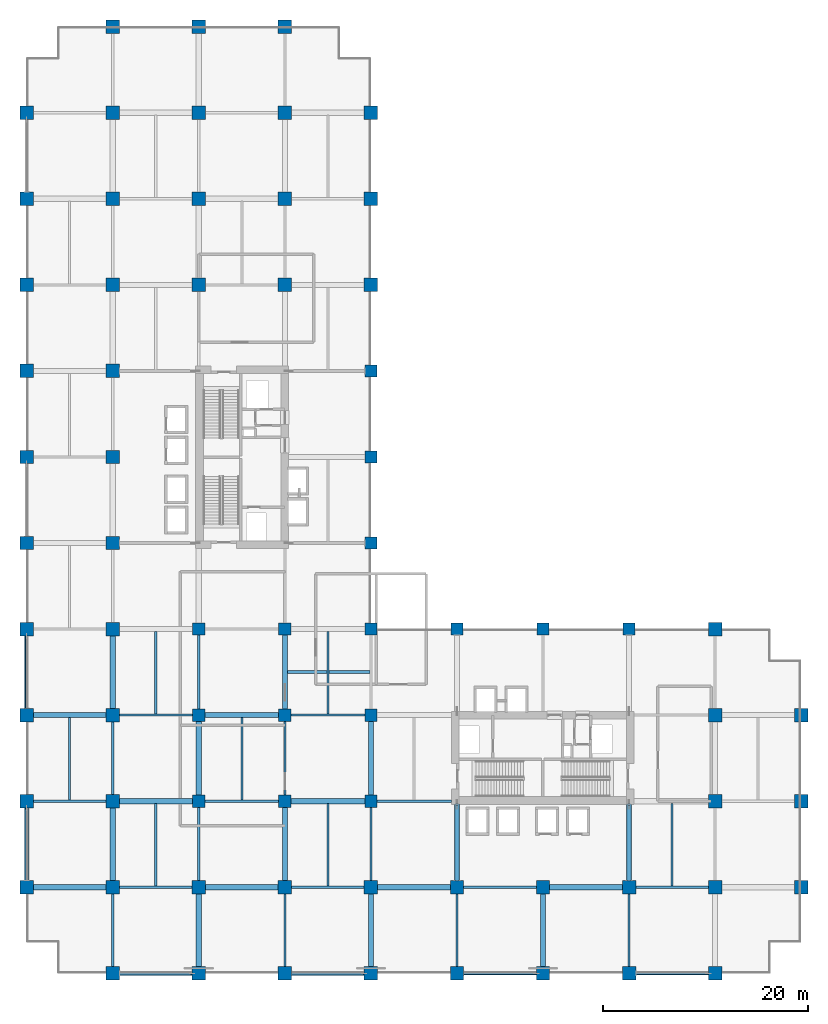
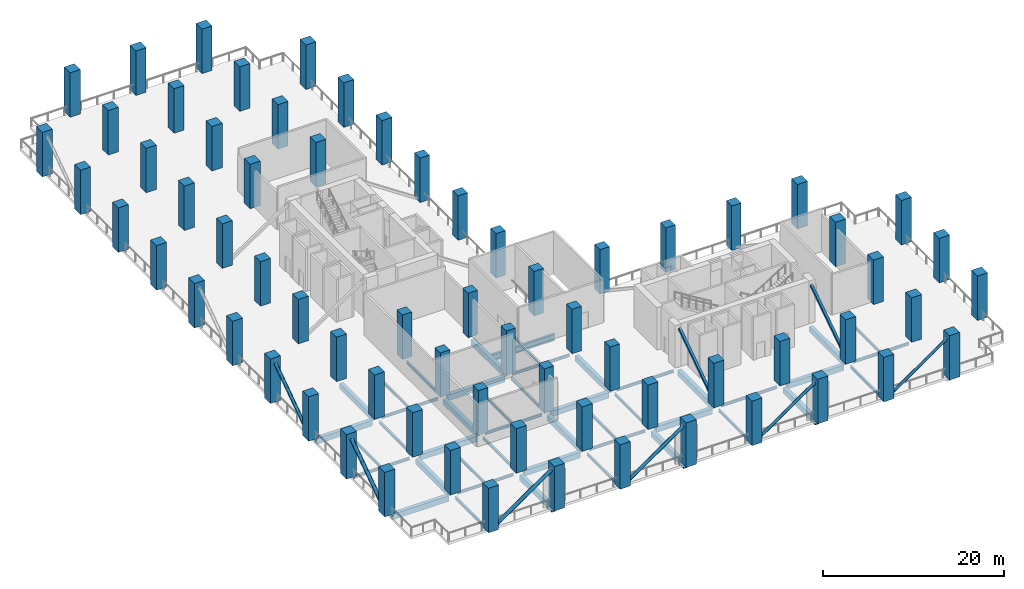
# One storey, part 1 of 19: 68 columns, 45 beams, 8 members.
"""IFC4 building model written with IfcOpenShell, lengths in metres."""

from ifc_helpers import new_model, si_unit, direction, frame, origin, origin_2d, place, context, subcontext, project, spatial, rectangle, hollow_rectangle, hollow_circle, i_section, extrude, material, material_profile, profile_set, type_object, element, save


model = new_model("IFC4")

# Units and contexts
model_context = context("Model", 3, precision=1e-05, world=origin(), true_north=direction((0.0, 1.0)))
body_context = subcontext(model_context, "Body", "Model", "MODEL_VIEW")
ifc_project = project(units=[si_unit("LENGTHUNIT", "METRE"), si_unit("AREAUNIT", "SQUARE_METRE"), si_unit("VOLUMEUNIT", "CUBIC_METRE"), si_unit("PLANEANGLEUNIT", "RADIAN"), si_unit("MASSUNIT", "GRAM", prefix="KILO")], contexts=[model_context])

# Site, building, storey
site_placement = place(None, origin())
site = spatial("IfcSite", under=ifc_project, at=site_placement, CompositionType="ELEMENT")
building_placement = place(site_placement, origin())
building = spatial("IfcBuilding", under=site, at=building_placement, Name="Koriwani Terraces Tower", CompositionType="ELEMENT")
storey_placement = place(building_placement, frame((0.0, 0.0, 94.0)))
storey = spatial("IfcBuildingStorey", under=building, at=storey_placement, Name="L22", CompositionType="ELEMENT", Elevation=94.0)

# Columns
ifc_material_1 = material(Name="Concrete C60/75", Category="concrete")
ifc_material_profile_1 = material_profile(ifc_material_1, rectangle(XDim=1.199951171875, YDim=1.199951171875, at=origin_2d()), Name="Concrete C60/75", Category="LoadBearing")
ifc_profile_set_1 = profile_set([ifc_material_profile_1], Name="Concrete C60/75")
column_type_1 = type_object("IfcColumnType", Name="COL_RC_1200X1200", PredefinedType="COLUMN", material=ifc_profile_set_1)
for number, where, z_axis, x_axis, name in (
    (1, (16.800048828125, 16.800048828125, 0.0), (0.0, 0.0, 1.0), (1.0, 0.0, 0.0), "L22 Column 3/C"),
    (2, (16.800048828125, 25.199951171875, 0.0), (0.0, 0.0, 1.0), (1.0, 0.0, 0.0), "L22 Column 3/D"),
    (3, (16.800048828125, 33.60009765625, 0.0), (0.0, 0.0, 1.0), (1.0, 0.0, 0.0), "L22 Column 3/E"),
    (4, (25.199951171875, 16.800048828125, 0.0), (0.0, 0.0, 1.0), (1.0, 0.0, 0.0), "L22 Column 4/C"),
    (5, (25.199951171875, 25.199951171875, 0.0), (0.0, 0.0, 1.0), (1.0, 0.0, 0.0), "L22 Column 4/D"),
    (6, (25.199951171875, 33.60009765625, 0.0), (0.0, 0.0, 1.0), (1.0, 0.0, 0.0), "L22 Column 4/E"),
    (7, (33.60009765625, 16.800048828125, 0.0), (0.0, 0.0, 1.0), (1.0, 0.0, 0.0), "L22 Column 5/C"),
    (8, (33.60009765625, 25.199951171875, 0.0), (0.0, 0.0, 1.0), (1.0, 0.0, 0.0), "L22 Column 5/D"),
    (9, (33.60009765625, 33.60009765625, 0.0), (0.0, 0.0, 1.0), (1.0, 0.0, 0.0), "L22 Column 5/E"),
    (10, (33.60009765625, 42.0, 0.0), (0.0, 0.0, 1.0), (1.0, 0.0, 0.0), "L22 Column 5/F"),
    (11, (33.60009765625, 50.39990234375, 0.0), (0.0, 0.0, 1.0), (1.0, 0.0, 0.0), "L22 Column 5/G"),
    (12, (33.60009765625, 58.800048828125, 0.0), (0.0, 0.0, 1.0), (1.0, 0.0, 0.0), "L22 Column 5/H"),
    (13, (42.0, 33.60009765625, 0.0), (0.0, 0.0, 1.0), (1.0, 0.0, 0.0), "L22 Column 6/E"),
    (14, (50.39990234375, 33.60009765625, 0.0), (0.0, 0.0, 1.0), (1.0, 0.0, 0.0), "L22 Column 7/E"),
    (15, (58.800048828125, 33.60009765625, 0.0), (0.0, 0.0, 1.0), (1.0, 0.0, 0.0), "L22 Column 8/E"),
):
    element("IfcColumn", number, at=place(storey_placement, frame(where, z_axis=z_axis, x_axis=x_axis)), inside=storey, type_object=column_type_1, Name=name, PredefinedType="COLUMN", context=body_context, shape_type="SweptSolid", body=[
        extrude(rectangle(XDim=1.199951171875, YDim=1.199951171875, at=origin_2d()), origin(), (0.0, 0.0, 1.0), 6.0),
    ])
ifc_material_profile_2 = material_profile(ifc_material_1, rectangle(XDim=1.300048828125, YDim=1.300048828125, at=origin_2d()), Name="Concrete C60/75", Category="LoadBearing")
ifc_profile_set_2 = profile_set([ifc_material_profile_2], Name="Concrete C60/75")
column_type_2 = type_object("IfcColumnType", Name="COL_RC_1300X1300", PredefinedType="COLUMN", material=ifc_profile_set_2)
for number, where, z_axis, x_axis, name in (
    (16, (0.0, 8.39990234375, 0.0), (0.0, 0.0, 1.0), (1.0, 0.0, 0.0), "L22 Column 1/B"),
    (17, (0.0, 16.800048828125, 0.0), (0.0, 0.0, 1.0), (1.0, 0.0, 0.0), "L22 Column 1/C"),
    (18, (0.0, 25.199951171875, 0.0), (0.0, 0.0, 1.0), (1.0, 0.0, 0.0), "L22 Column 1/D"),
    (19, (0.0, 33.60009765625, 0.0), (0.0, 0.0, 1.0), (1.0, 0.0, 0.0), "L22 Column 1/E"),
    (20, (0.0, 42.0, 0.0), (0.0, 0.0, 1.0), (1.0, 0.0, 0.0), "L22 Column 1/F"),
    (21, (0.0, 50.39990234375, 0.0), (0.0, 0.0, 1.0), (1.0, 0.0, 0.0), "L22 Column 1/G"),
    (22, (0.0, 58.800048828125, 0.0), (0.0, 0.0, 1.0), (1.0, 0.0, 0.0), "L22 Column 1/H"),
    (23, (0.0, 67.199951171875, 0.0), (0.0, 0.0, 1.0), (1.0, 0.0, 0.0), "L22 Column 1/I"),
    (24, (0.0, 75.60009765625, 0.0), (0.0, 0.0, 1.0), (1.0, 0.0, 0.0), "L22 Column 1/J"),
    (25, (0.0, 84.0, 0.0), (0.0, 0.0, 1.0), (1.0, 0.0, 0.0), "L22 Column 1/K"),
    (26, (8.39990234375, 0.0, 0.0), (0.0, 0.0, 1.0), (1.0, 0.0, 0.0), "L22 Column 2/A"),
    (27, (8.39990234375, 8.39990234375, 0.0), (0.0, 0.0, 1.0), (1.0, 0.0, 0.0), "L22 Column 2/B"),
    (28, (8.39990234375, 16.800048828125, 0.0), (0.0, 0.0, 1.0), (1.0, 0.0, 0.0), "L22 Column 2/C"),
    (29, (8.39990234375, 25.199951171875, 0.0), (0.0, 0.0, 1.0), (1.0, 0.0, 0.0), "L22 Column 2/D"),
    (30, (8.39990234375, 33.60009765625, 0.0), (0.0, 0.0, 1.0), (1.0, 0.0, 0.0), "L22 Column 2/E"),
    (31, (8.39990234375, 42.0, 0.0), (0.0, 0.0, 1.0), (1.0, 0.0, 0.0), "L22 Column 2/F"),
    (32, (8.39990234375, 50.39990234375, 0.0), (0.0, 0.0, 1.0), (1.0, 0.0, 0.0), "L22 Column 2/G"),
    (33, (8.39990234375, 58.800048828125, 0.0), (0.0, 0.0, 1.0), (1.0, 0.0, 0.0), "L22 Column 2/H"),
    (34, (8.39990234375, 67.199951171875, 0.0), (0.0, 0.0, 1.0), (1.0, 0.0, 0.0), "L22 Column 2/I"),
    (35, (8.39990234375, 75.60009765625, 0.0), (0.0, 0.0, 1.0), (1.0, 0.0, 0.0), "L22 Column 2/J"),
    (36, (8.39990234375, 84.0, 0.0), (0.0, 0.0, 1.0), (1.0, 0.0, 0.0), "L22 Column 2/K"),
    (37, (8.39990234375, 92.39990234375, 0.0), (0.0, 0.0, 1.0), (1.0, 0.0, 0.0), "L22 Column 2/L"),
    (38, (16.800048828125, 0.0, 0.0), (0.0, 0.0, 1.0), (1.0, 0.0, 0.0), "L22 Column 3/A"),
    (39, (16.800048828125, 8.39990234375, 0.0), (0.0, 0.0, 1.0), (1.0, 0.0, 0.0), "L22 Column 3/B"),
    (40, (16.800048828125, 67.199951171875, 0.0), (0.0, 0.0, 1.0), (1.0, 0.0, 0.0), "L22 Column 3/I"),
    (41, (16.800048828125, 75.60009765625, 0.0), (0.0, 0.0, 1.0), (1.0, 0.0, 0.0), "L22 Column 3/J"),
    (42, (16.800048828125, 84.0, 0.0), (0.0, 0.0, 1.0), (1.0, 0.0, 0.0), "L22 Column 3/K"),
    (43, (16.800048828125, 92.39990234375, 0.0), (0.0, 0.0, 1.0), (1.0, 0.0, 0.0), "L22 Column 3/L"),
    (44, (25.199951171875, 0.0, 0.0), (0.0, 0.0, 1.0), (1.0, 0.0, 0.0), "L22 Column 4/A"),
    (45, (25.199951171875, 8.39990234375, 0.0), (0.0, 0.0, 1.0), (1.0, 0.0, 0.0), "L22 Column 4/B"),
    (46, (25.199951171875, 67.199951171875, 0.0), (0.0, 0.0, 1.0), (1.0, 0.0, 0.0), "L22 Column 4/I"),
    (47, (25.199951171875, 75.60009765625, 0.0), (0.0, 0.0, 1.0), (1.0, 0.0, 0.0), "L22 Column 4/J"),
    (48, (25.199951171875, 84.0, 0.0), (0.0, 0.0, 1.0), (1.0, 0.0, 0.0), "L22 Column 4/K"),
    (49, (25.199951171875, 92.39990234375, 0.0), (0.0, 0.0, 1.0), (1.0, 0.0, 0.0), "L22 Column 4/L"),
    (50, (33.60009765625, 0.0, 0.0), (0.0, 0.0, 1.0), (1.0, 0.0, 0.0), "L22 Column 5/A"),
    (51, (33.60009765625, 8.39990234375, 0.0), (0.0, 0.0, 1.0), (1.0, 0.0, 0.0), "L22 Column 5/B"),
    (52, (33.60009765625, 67.199951171875, 0.0), (0.0, 0.0, 1.0), (1.0, 0.0, 0.0), "L22 Column 5/I"),
    (53, (33.60009765625, 75.60009765625, 0.0), (0.0, 0.0, 1.0), (1.0, 0.0, 0.0), "L22 Column 5/J"),
    (54, (33.60009765625, 84.0, 0.0), (0.0, 0.0, 1.0), (1.0, 0.0, 0.0), "L22 Column 5/K"),
    (55, (42.0, 0.0, 0.0), (0.0, 0.0, 1.0), (1.0, 0.0, 0.0), "L22 Column 6/A"),
    (56, (42.0, 8.39990234375, 0.0), (0.0, 0.0, 1.0), (1.0, 0.0, 0.0), "L22 Column 6/B"),
    (57, (50.39990234375, 0.0, 0.0), (0.0, 0.0, 1.0), (1.0, 0.0, 0.0), "L22 Column 7/A"),
    (58, (50.39990234375, 8.39990234375, 0.0), (0.0, 0.0, 1.0), (1.0, 0.0, 0.0), "L22 Column 7/B"),
    (59, (58.800048828125, 0.0, 0.0), (0.0, 0.0, 1.0), (1.0, 0.0, 0.0), "L22 Column 8/A"),
    (60, (58.800048828125, 8.39990234375, 0.0), (0.0, 0.0, 1.0), (1.0, 0.0, 0.0), "L22 Column 8/B"),
    (61, (67.199951171875, 0.0, 0.0), (0.0, 0.0, 1.0), (1.0, 0.0, 0.0), "L22 Column 9/A"),
    (62, (67.199951171875, 8.39990234375, 0.0), (0.0, 0.0, 1.0), (1.0, 0.0, 0.0), "L22 Column 9/B"),
    (63, (67.199951171875, 16.800048828125, 0.0), (0.0, 0.0, 1.0), (1.0, 0.0, 0.0), "L22 Column 9/C"),
    (64, (67.199951171875, 25.199951171875, 0.0), (0.0, 0.0, 1.0), (1.0, 0.0, 0.0), "L22 Column 9/D"),
    (65, (67.199951171875, 33.60009765625, 0.0), (0.0, 0.0, 1.0), (1.0, 0.0, 0.0), "L22 Column 9/E"),
    (66, (75.60009765625, 8.39990234375, 0.0), (0.0, 0.0, 1.0), (1.0, 0.0, 0.0), "L22 Column 10/B"),
    (67, (75.60009765625, 16.800048828125, 0.0), (0.0, 0.0, 1.0), (1.0, 0.0, 0.0), "L22 Column 10/C"),
    (68, (75.60009765625, 25.199951171875, 0.0), (0.0, 0.0, 1.0), (1.0, 0.0, 0.0), "L22 Column 10/D"),
):
    element("IfcColumn", number, at=place(storey_placement, frame(where, z_axis=z_axis, x_axis=x_axis)), inside=storey, type_object=column_type_2, Name=name, PredefinedType="COLUMN", context=body_context, shape_type="SweptSolid", body=[
        extrude(rectangle(XDim=1.300048828125, YDim=1.300048828125, at=origin_2d()), origin(), (0.0, 0.0, 1.0), 6.0),
    ])

# Beams
ifc_material_2 = material(Name="Concrete C50/60", Category="concrete")
ifc_material_profile_3 = material_profile(ifc_material_2, rectangle(XDim=0.5, YDim=0.75, at=origin_2d()), Name="Concrete C50/60", Category="LoadBearing")
ifc_profile_set_3 = profile_set([ifc_material_profile_3], Name="Concrete C50/60")
beam_type_1 = type_object("IfcBeamType", Name="BEAM_RC_GRID_500X750", PredefinedType="BEAM", material=ifc_profile_set_3)
for number, where, z_axis, x_axis, name in (
    (69, (0.6298828125, 8.39990234375, -0.72509765625), (1.0, 0.0, 0.0), (0.0, 1.0, 0.0), "L22 Grid Beam B (0.0-8.4m)"),
    (70, (17.429931640625, 8.39990234375, -0.72509765625), (1.0, 0.0, 0.0), (0.0, 1.0, 0.0), "L22 Grid Beam B (16.8-25.2m)"),
    (71, (34.22998046875, 8.39990234375, -0.72509765625), (1.0, 0.0, 0.0), (0.0, 1.0, 0.0), "L22 Grid Beam B (33.6-42.0m)"),
):
    element("IfcBeam", number, at=place(storey_placement, frame(where, z_axis=z_axis, x_axis=x_axis)), inside=storey, type_object=beam_type_1, Name=name, PredefinedType="BEAM", context=body_context, shape_type="SweptSolid", body=[
        extrude(rectangle(XDim=0.5, YDim=0.75, at=origin_2d()), origin(), (0.0, 0.0, 1.0), 7.14013671875),
    ])
beam_1_placement = place(storey_placement, frame((51.030029296875, 8.39990234375, -0.72509765625), z_axis=(1.0, 0.0, 0.0), x_axis=(0.0, 1.0, 0.0)))
element("IfcBeam", 72, at=beam_1_placement, inside=storey, type_object=beam_type_1, Name="L22 Grid Beam B (50.4-58.8m)", PredefinedType="BEAM", context=body_context, shape_type="SweptSolid", body=[
    extrude(rectangle(XDim=0.5, YDim=0.75, at=origin_2d()), origin(), (0.0, 0.0, 1.0), 7.139892578125),
])
beam_2_placement = place(storey_placement, frame((9.030029296875, 16.800048828125, -0.72509765625), z_axis=(1.0, 0.0, 0.0), x_axis=(0.0, 1.0, 0.0)))
element("IfcBeam", 73, at=beam_2_placement, inside=storey, type_object=beam_type_1, Name="L22 Grid Beam C (8.4-16.8m)", PredefinedType="BEAM", context=body_context, shape_type="SweptSolid", body=[
    extrude(rectangle(XDim=0.5, YDim=0.75, at=origin_2d()), origin(), (0.0, 0.0, 1.0), 7.18994140625),
])
beam_3_placement = place(storey_placement, frame((25.780029296875, 16.800048828125, -0.72509765625), z_axis=(1.0, 0.0, 0.0), x_axis=(0.0, 1.0, 0.0)))
element("IfcBeam", 74, at=beam_3_placement, inside=storey, type_object=beam_type_1, Name="L22 Grid Beam C (25.2-33.6m)", PredefinedType="BEAM", context=body_context, shape_type="SweptSolid", body=[
    extrude(rectangle(XDim=0.5, YDim=0.75, at=origin_2d()), origin(), (0.0, 0.0, 1.0), 7.239990234375),
])
beam_4_placement = place(storey_placement, frame((0.6298828125, 25.199951171875, -0.72509765625), z_axis=(1.0, 0.0, 0.0), x_axis=(0.0, 1.0, 0.0)))
element("IfcBeam", 75, at=beam_4_placement, inside=storey, type_object=beam_type_1, Name="L22 Grid Beam D (0.0-8.4m)", PredefinedType="BEAM", context=body_context, shape_type="SweptSolid", body=[
    extrude(rectangle(XDim=0.5, YDim=0.75, at=origin_2d()), origin(), (0.0, 0.0, 1.0), 7.14013671875),
])
beam_5_placement = place(storey_placement, frame((17.3798828125, 25.199951171875, -0.72509765625), z_axis=(1.0, 0.0, 0.0), x_axis=(0.0, 1.0, 0.0)))
element("IfcBeam", 76, at=beam_5_placement, inside=storey, type_object=beam_type_1, Name="L22 Grid Beam D (16.8-25.2m)", PredefinedType="BEAM", context=body_context, shape_type="SweptSolid", body=[
    extrude(rectangle(XDim=0.5, YDim=0.75, at=origin_2d()), origin(), (0.0, 0.0, 1.0), 7.240234375),
])
for number, where, z_axis, x_axis, name in (
    (77, (8.39990234375, 9.030029296875, -0.72509765625), (0.0, 1.0, 0.0), (-1.0, 0.0, 0.0), "L22 Grid Beam 2 (8.4-16.8m)"),
    (78, (8.39990234375, 25.830078125, -0.72509765625), (0.0, 1.0, 0.0), (-1.0, 0.0, 0.0), "L22 Grid Beam 2 (25.2-33.6m)"),
):
    element("IfcBeam", number, at=place(storey_placement, frame(where, z_axis=z_axis, x_axis=x_axis)), inside=storey, type_object=beam_type_1, Name=name, PredefinedType="BEAM", context=body_context, shape_type="SweptSolid", body=[
        extrude(rectangle(XDim=0.5, YDim=0.75, at=origin_2d()), origin(), (0.0, 0.0, 1.0), 7.139892578125),
    ])
beam_6_placement = place(storey_placement, frame((16.800048828125, 0.6298828125, -0.72509765625), z_axis=(0.0, 1.0, 0.0), x_axis=(-1.0, 0.0, 0.0)))
element("IfcBeam", 79, at=beam_6_placement, inside=storey, type_object=beam_type_1, Name="L22 Grid Beam 3 (0.0-8.4m)", PredefinedType="BEAM", context=body_context, shape_type="SweptSolid", body=[
    extrude(rectangle(XDim=0.5, YDim=0.75, at=origin_2d()), origin(), (0.0, 0.0, 1.0), 7.14013671875),
])
beam_7_placement = place(storey_placement, frame((16.800048828125, 17.3798828125, -0.72509765625), z_axis=(0.0, 1.0, 0.0), x_axis=(-1.0, 0.0, 0.0)))
element("IfcBeam", 80, at=beam_7_placement, inside=storey, type_object=beam_type_1, Name="L22 Grid Beam 3 (16.8-25.2m)", PredefinedType="BEAM", context=body_context, shape_type="SweptSolid", body=[
    extrude(rectangle(XDim=0.5, YDim=0.75, at=origin_2d()), origin(), (0.0, 0.0, 1.0), 7.240234375),
])
beam_8_placement = place(storey_placement, frame((25.199951171875, 9.030029296875, -0.72509765625), z_axis=(0.0, 1.0, 0.0), x_axis=(-1.0, 0.0, 0.0)))
element("IfcBeam", 81, at=beam_8_placement, inside=storey, type_object=beam_type_1, Name="L22 Grid Beam 4 (8.4-16.8m)", PredefinedType="BEAM", context=body_context, shape_type="SweptSolid", body=[
    extrude(rectangle(XDim=0.5, YDim=0.75, at=origin_2d()), origin(), (0.0, 0.0, 1.0), 7.18994140625),
])
beam_9_placement = place(storey_placement, frame((25.199951171875, 25.780029296875, -0.72509765625), z_axis=(0.0, 1.0, 0.0), x_axis=(-1.0, 0.0, 0.0)))
element("IfcBeam", 82, at=beam_9_placement, inside=storey, type_object=beam_type_1, Name="L22 Grid Beam 4 (25.2-33.6m)", PredefinedType="BEAM", context=body_context, shape_type="SweptSolid", body=[
    extrude(rectangle(XDim=0.5, YDim=0.75, at=origin_2d()), origin(), (0.0, 0.0, 1.0), 7.239990234375),
])
beam_10_placement = place(storey_placement, frame((33.60009765625, 0.6298828125, -0.72509765625), z_axis=(0.0, 1.0, 0.0), x_axis=(-1.0, 0.0, 0.0)))
element("IfcBeam", 83, at=beam_10_placement, inside=storey, type_object=beam_type_1, Name="L22 Grid Beam 5 (0.0-8.4m)", PredefinedType="BEAM", context=body_context, shape_type="SweptSolid", body=[
    extrude(rectangle(XDim=0.5, YDim=0.75, at=origin_2d()), origin(), (0.0, 0.0, 1.0), 7.14013671875),
])
beam_11_placement = place(storey_placement, frame((33.60009765625, 17.3798828125, -0.72509765625), z_axis=(0.0, 1.0, 0.0), x_axis=(-1.0, 0.0, 0.0)))
element("IfcBeam", 84, at=beam_11_placement, inside=storey, type_object=beam_type_1, Name="L22 Grid Beam 5 (16.8-25.2m)", PredefinedType="BEAM", context=body_context, shape_type="SweptSolid", body=[
    extrude(rectangle(XDim=0.5, YDim=0.75, at=origin_2d()), origin(), (0.0, 0.0, 1.0), 7.240234375),
])
beam_12_placement = place(storey_placement, frame((42.0, 9.030029296875, -0.72509765625), z_axis=(0.0, 1.0, 0.0), x_axis=(-1.0, 0.0, 0.0)))
element("IfcBeam", 85, at=beam_12_placement, inside=storey, type_object=beam_type_1, Name="L22 Grid Beam 6 (8.4-16.8m)", PredefinedType="BEAM", context=body_context, shape_type="SweptSolid", body=[
    extrude(rectangle(XDim=0.5, YDim=0.75, at=origin_2d()), origin(), (0.0, 0.0, 1.0), 7.489990234375),
])
beam_13_placement = place(storey_placement, frame((50.39990234375, 0.6298828125, -0.72509765625), z_axis=(0.0, 1.0, 0.0), x_axis=(-1.0, 0.0, 0.0)))
element("IfcBeam", 86, at=beam_13_placement, inside=storey, type_object=beam_type_1, Name="L22 Grid Beam 7 (0.0-8.4m)", PredefinedType="BEAM", context=body_context, shape_type="SweptSolid", body=[
    extrude(rectangle(XDim=0.5, YDim=0.75, at=origin_2d()), origin(), (0.0, 0.0, 1.0), 7.14013671875),
])
beam_14_placement = place(storey_placement, frame((58.800048828125, 9.030029296875, -0.72509765625), z_axis=(0.0, 1.0, 0.0), x_axis=(-1.0, 0.0, 0.0)))
element("IfcBeam", 87, at=beam_14_placement, inside=storey, type_object=beam_type_1, Name="L22 Grid Beam 8 (8.4-16.8m)", PredefinedType="BEAM", context=body_context, shape_type="SweptSolid", body=[
    extrude(rectangle(XDim=0.5, YDim=0.75, at=origin_2d()), origin(), (0.0, 0.0, 1.0), 7.489990234375),
])

# Members
ifc_material_3 = material(Name="Steel ASTM A572 Grade 50", Category="steel")
ifc_material_profile_4 = material_profile(ifc_material_3, hollow_circle(Radius=0.162109375, WallThickness=0.012451171875, at=origin_2d()), Name="Steel ASTM A572 Grade 50", Category="LoadBearing")
ifc_profile_set_4 = profile_set([ifc_material_profile_4], Name="Steel ASTM A572 Grade 50")
member_type_1 = type_object("IfcMemberType", Name="BELT_TRUSS_DIAG_CHS324X12", PredefinedType="BRACE", material=ifc_profile_set_4)
member_1_placement = place(storey_placement, frame((59.429931640625, 0.0, 0.25), z_axis=(0.821826828504, 0.0, 0.569737364012), x_axis=(0.0, 1.0, 0.0)))
element("IfcMember", 88, at=member_1_placement, inside=storey, type_object=member_type_1, Name="Belt truss diagonal L22-BS4", PredefinedType="BRACE", context=body_context, shape_type="SweptSolid", body=[
    extrude(hollow_circle(Radius=0.162109375, WallThickness=0.012451171875, at=origin_2d()), origin(), (0.0, 0.0, 1.0), 8.688232421875),
])
ifc_material_profile_5 = material_profile(ifc_material_3, hollow_circle(Radius=0.177978515625, WallThickness=0.012451171875, at=origin_2d()), Name="Steel ASTM A572 Grade 50", Category="LoadBearing")
ifc_profile_set_5 = profile_set([ifc_material_profile_5], Name="Steel ASTM A572 Grade 50")
member_type_2 = type_object("IfcMemberType", Name="BELT_TRUSS_DIAG_CHS356X12", PredefinedType="BRACE", material=ifc_profile_set_5)
member_2_placement = place(storey_placement, frame((42.6298828125, 0.0, 0.25), z_axis=(0.821826828504, 0.0, 0.569737364012), x_axis=(0.0, 1.0, 0.0)))
element("IfcMember", 89, at=member_2_placement, inside=storey, type_object=member_type_2, Name="Belt truss diagonal L22-BS3", PredefinedType="BRACE", context=body_context, shape_type="SweptSolid", body=[
    extrude(hollow_circle(Radius=0.177978515625, WallThickness=0.012451171875, at=origin_2d()), origin(), (0.0, 0.0, 1.0), 8.688232421875),
])
ifc_material_profile_6 = material_profile(ifc_material_3, hollow_circle(Radius=0.202880859375, WallThickness=0.01611328125, at=origin_2d()), Name="Steel ASTM A572 Grade 50", Category="LoadBearing")
ifc_profile_set_6 = profile_set([ifc_material_profile_6], Name="Steel ASTM A572 Grade 50")
member_type_3 = type_object("IfcMemberType", Name="BELT_TRUSS_DIAG_CHS406X16", PredefinedType="BRACE", material=ifc_profile_set_6)
for number, where, z_axis, x_axis, name in (
    (90, (25.830078125, 0.0, 0.25), (0.821817706751, 0.0, 0.569750521606), (0.0, 1.0, 0.0), "Belt truss diagonal L22-BS2"),
    (91, (0.0, 25.830078125, 0.25), (0.0, 0.821817706751, 0.569750521606), (-1.0, 0.0, 0.0), "Belt truss diagonal L22-BW2"),
):
    element("IfcMember", number, at=place(storey_placement, frame(where, z_axis=z_axis, x_axis=x_axis)), inside=storey, type_object=member_type_3, Name=name, PredefinedType="BRACE", context=body_context, shape_type="SweptSolid", body=[
        extrude(hollow_circle(Radius=0.202880859375, WallThickness=0.01611328125, at=origin_2d()), origin(), (0.0, 0.0, 1.0), 8.68798828125),
    ])
ifc_material_profile_7 = material_profile(ifc_material_3, hollow_circle(Radius=0.228515625, WallThickness=0.01611328125, at=origin_2d()), Name="Steel ASTM A572 Grade 50", Category="LoadBearing")
ifc_profile_set_7 = profile_set([ifc_material_profile_7], Name="Steel ASTM A572 Grade 50")
member_type_4 = type_object("IfcMemberType", Name="BELT_TRUSS_DIAG_CHS457X16", PredefinedType="STRUT", material=ifc_profile_set_7)
for number, where, z_axis, x_axis, name in (
    (92, (9.030029296875, 0.0, 0.25), (0.821817706751, 0.0, 0.569750521606), (0.0, 1.0, 0.0), "Belt truss diagonal L22-BS1"),
    (93, (0.0, 9.030029296875, 0.25), (0.0, 0.821817706751, 0.569750521606), (-1.0, 0.0, 0.0), "Belt truss diagonal L22-BW1"),
):
    element("IfcMember", number, at=place(storey_placement, frame(where, z_axis=z_axis, x_axis=x_axis)), inside=storey, type_object=member_type_4, Name=name, PredefinedType="STRUT", context=body_context, shape_type="SweptSolid", body=[
        extrude(hollow_circle(Radius=0.228515625, WallThickness=0.01611328125, at=origin_2d()), origin(), (0.0, 0.0, 1.0), 8.68798828125),
    ])
ifc_material_profile_8 = material_profile(ifc_material_3, hollow_rectangle(XDim=0.300048828125, YDim=0.300048828125, WallThickness=0.012451171875, at=origin_2d()), Name="Steel ASTM A572 Grade 50", Category="LoadBearing")
ifc_profile_set_8 = profile_set([ifc_material_profile_8], Name="Steel ASTM A572 Grade 50")
member_type_5 = type_object("IfcMemberType", Name="OUTRIGGER_BRACE_HSS300X300X12", PredefinedType="BRACE", material=ifc_profile_set_8)
for number, where, z_axis, x_axis, name in (
    (94, (42.0, 9.030029296875, 0.25), (0.0, 0.832910137999, 0.553408259804), (-1.0, 0.0, 0.0), "Outrigger truss diagonal L22-OE-S1"),
    (95, (58.800048828125, 9.030029296875, 0.25), (0.0, 0.832910137999, 0.553408259804), (-1.0, 0.0, 0.0), "Outrigger truss diagonal L22-OE-S2"),
):
    element("IfcMember", number, at=place(storey_placement, frame(where, z_axis=z_axis, x_axis=x_axis)), inside=storey, type_object=member_type_5, Name=name, PredefinedType="BRACE", context=body_context, shape_type="SweptSolid", body=[
        extrude(hollow_rectangle(XDim=0.300048828125, YDim=0.300048828125, WallThickness=0.012451171875, at=origin_2d()), origin(), (0.0, 0.0, 1.0), 8.944580078125),
    ])

# Beams
ifc_material_profile_9 = material_profile(ifc_material_3, i_section(OverallWidth=0.205078125, OverallDepth=0.35400390625, WebThickness=0.009521484375, FlangeThickness=0.016845703125, at=origin_2d()), Name="Steel ASTM A572 Grade 50", Category="LoadBearing")
ifc_profile_set_9 = profile_set([ifc_material_profile_9], Name="Steel ASTM A572 Grade 50")
beam_type_2 = type_object("IfcBeamType", Name="STEEL_BEAM_W360X79", PredefinedType="JOIST", material=ifc_profile_set_9)
for number, where, z_axis, x_axis, name in (
    (96, (9.030029296875, 8.39990234375, -0.527099609375), (1.0, 0.0, 0.0), (0.0, 1.0, 0.0), "L22 Grid Beam B (8.4-16.8m)"),
    (97, (25.830078125, 8.39990234375, -0.527099609375), (1.0, 0.0, 0.0), (0.0, 1.0, 0.0), "L22 Grid Beam B (25.2-33.6m)"),
):
    element("IfcBeam", number, at=place(storey_placement, frame(where, z_axis=z_axis, x_axis=x_axis)), inside=storey, type_object=beam_type_2, Name=name, PredefinedType="JOIST", context=body_context, shape_type="SweptSolid", body=[
        extrude(i_section(OverallWidth=0.205078125, OverallDepth=0.35400390625, WebThickness=0.009521484375, FlangeThickness=0.016845703125, at=origin_2d()), origin(), (0.0, 0.0, 1.0), 7.139892578125),
    ])
for number, where, z_axis, x_axis, name in (
    (98, (42.6298828125, 8.39990234375, -0.527099609375), (1.0, 0.0, 0.0), (0.0, 1.0, 0.0), "L22 Grid Beam B (42.0-50.4m)"),
    (99, (59.429931640625, 8.39990234375, -0.527099609375), (1.0, 0.0, 0.0), (0.0, 1.0, 0.0), "L22 Grid Beam B (58.8-67.2m)"),
    (100, (0.6298828125, 16.800048828125, -0.527099609375), (1.0, 0.0, 0.0), (0.0, 1.0, 0.0), "L22 Grid Beam C (0.0-8.4m)"),
):
    element("IfcBeam", number, at=place(storey_placement, frame(where, z_axis=z_axis, x_axis=x_axis)), inside=storey, type_object=beam_type_2, Name=name, PredefinedType="JOIST", context=body_context, shape_type="SweptSolid", body=[
        extrude(i_section(OverallWidth=0.205078125, OverallDepth=0.35400390625, WebThickness=0.009521484375, FlangeThickness=0.016845703125, at=origin_2d()), origin(), (0.0, 0.0, 1.0), 7.14013671875),
    ])
beam_15_placement = place(storey_placement, frame((17.3798828125, 16.800048828125, -0.527099609375), z_axis=(1.0, 0.0, 0.0), x_axis=(0.0, 1.0, 0.0)))
element("IfcBeam", 101, at=beam_15_placement, inside=storey, type_object=beam_type_2, Name="L22 Grid Beam C (16.8-25.2m)", PredefinedType="JOIST", context=body_context, shape_type="SweptSolid", body=[
    extrude(i_section(OverallWidth=0.205078125, OverallDepth=0.35400390625, WebThickness=0.009521484375, FlangeThickness=0.016845703125, at=origin_2d()), origin(), (0.0, 0.0, 1.0), 7.240234375),
])
beam_16_placement = place(storey_placement, frame((34.179931640625, 16.800048828125, -0.527099609375), z_axis=(1.0, 0.0, 0.0), x_axis=(0.0, 1.0, 0.0)))
element("IfcBeam", 102, at=beam_16_placement, inside=storey, type_object=beam_type_2, Name="L22 Grid Beam C (33.6-42.0m)", PredefinedType="JOIST", context=body_context, shape_type="SweptSolid", body=[
    extrude(i_section(OverallWidth=0.205078125, OverallDepth=0.35400390625, WebThickness=0.009521484375, FlangeThickness=0.016845703125, at=origin_2d()), origin(), (0.0, 0.0, 1.0), 7.2900390625),
])
beam_17_placement = place(storey_placement, frame((9.030029296875, 25.199951171875, -0.527099609375), z_axis=(1.0, 0.0, 0.0), x_axis=(0.0, 1.0, 0.0)))
element("IfcBeam", 103, at=beam_17_placement, inside=storey, type_object=beam_type_2, Name="L22 Grid Beam D (8.4-16.8m)", PredefinedType="JOIST", context=body_context, shape_type="SweptSolid", body=[
    extrude(i_section(OverallWidth=0.205078125, OverallDepth=0.35400390625, WebThickness=0.009521484375, FlangeThickness=0.016845703125, at=origin_2d()), origin(), (0.0, 0.0, 1.0), 7.18994140625),
])
beam_18_placement = place(storey_placement, frame((25.780029296875, 25.199951171875, -0.527099609375), z_axis=(1.0, 0.0, 0.0), x_axis=(0.0, 1.0, 0.0)))
element("IfcBeam", 104, at=beam_18_placement, inside=storey, type_object=beam_type_2, Name="L22 Grid Beam D (25.2-33.6m)", PredefinedType="JOIST", context=body_context, shape_type="SweptSolid", body=[
    extrude(i_section(OverallWidth=0.205078125, OverallDepth=0.35400390625, WebThickness=0.009521484375, FlangeThickness=0.016845703125, at=origin_2d()), origin(), (0.0, 0.0, 1.0), 7.239990234375),
])
for number, where, z_axis, x_axis, name in (
    (105, (8.39990234375, 0.6298828125, -0.527099609375), (0.0, 1.0, 0.0), (-1.0, 0.0, 0.0), "L22 Grid Beam 2 (0.0-8.4m)"),
    (106, (8.39990234375, 17.429931640625, -0.527099609375), (0.0, 1.0, 0.0), (-1.0, 0.0, 0.0), "L22 Grid Beam 2 (16.8-25.2m)"),
):
    element("IfcBeam", number, at=place(storey_placement, frame(where, z_axis=z_axis, x_axis=x_axis)), inside=storey, type_object=beam_type_2, Name=name, PredefinedType="JOIST", context=body_context, shape_type="SweptSolid", body=[
        extrude(i_section(OverallWidth=0.205078125, OverallDepth=0.35400390625, WebThickness=0.009521484375, FlangeThickness=0.016845703125, at=origin_2d()), origin(), (0.0, 0.0, 1.0), 7.14013671875),
    ])
beam_19_placement = place(storey_placement, frame((16.800048828125, 9.030029296875, -0.527099609375), z_axis=(0.0, 1.0, 0.0), x_axis=(-1.0, 0.0, 0.0)))
element("IfcBeam", 107, at=beam_19_placement, inside=storey, type_object=beam_type_2, Name="L22 Grid Beam 3 (8.4-16.8m)", PredefinedType="JOIST", context=body_context, shape_type="SweptSolid", body=[
    extrude(i_section(OverallWidth=0.205078125, OverallDepth=0.35400390625, WebThickness=0.009521484375, FlangeThickness=0.016845703125, at=origin_2d()), origin(), (0.0, 0.0, 1.0), 7.18994140625),
])
beam_20_placement = place(storey_placement, frame((16.800048828125, 25.780029296875, -0.527099609375), z_axis=(0.0, 1.0, 0.0), x_axis=(-1.0, 0.0, 0.0)))
element("IfcBeam", 108, at=beam_20_placement, inside=storey, type_object=beam_type_2, Name="L22 Grid Beam 3 (25.2-33.6m)", PredefinedType="JOIST", context=body_context, shape_type="SweptSolid", body=[
    extrude(i_section(OverallWidth=0.205078125, OverallDepth=0.35400390625, WebThickness=0.009521484375, FlangeThickness=0.016845703125, at=origin_2d()), origin(), (0.0, 0.0, 1.0), 7.239990234375),
])
beam_21_placement = place(storey_placement, frame((25.199951171875, 0.6298828125, -0.527099609375), z_axis=(0.0, 1.0, 0.0), x_axis=(-1.0, 0.0, 0.0)))
element("IfcBeam", 109, at=beam_21_placement, inside=storey, type_object=beam_type_2, Name="L22 Grid Beam 4 (0.0-8.4m)", PredefinedType="JOIST", context=body_context, shape_type="SweptSolid", body=[
    extrude(i_section(OverallWidth=0.205078125, OverallDepth=0.35400390625, WebThickness=0.009521484375, FlangeThickness=0.016845703125, at=origin_2d()), origin(), (0.0, 0.0, 1.0), 7.14013671875),
])
beam_22_placement = place(storey_placement, frame((25.199951171875, 17.3798828125, -0.527099609375), z_axis=(0.0, 1.0, 0.0), x_axis=(-1.0, 0.0, 0.0)))
element("IfcBeam", 110, at=beam_22_placement, inside=storey, type_object=beam_type_2, Name="L22 Grid Beam 4 (16.8-25.2m)", PredefinedType="JOIST", context=body_context, shape_type="SweptSolid", body=[
    extrude(i_section(OverallWidth=0.205078125, OverallDepth=0.35400390625, WebThickness=0.009521484375, FlangeThickness=0.016845703125, at=origin_2d()), origin(), (0.0, 0.0, 1.0), 7.240234375),
])
beam_23_placement = place(storey_placement, frame((33.60009765625, 9.030029296875, -0.527099609375), z_axis=(0.0, 1.0, 0.0), x_axis=(-1.0, 0.0, 0.0)))
element("IfcBeam", 111, at=beam_23_placement, inside=storey, type_object=beam_type_2, Name="L22 Grid Beam 5 (8.4-16.8m)", PredefinedType="JOIST", context=body_context, shape_type="SweptSolid", body=[
    extrude(i_section(OverallWidth=0.205078125, OverallDepth=0.35400390625, WebThickness=0.009521484375, FlangeThickness=0.016845703125, at=origin_2d()), origin(), (0.0, 0.0, 1.0), 7.18994140625),
])
for number, where, z_axis, x_axis, name in (
    (112, (42.0, 0.6298828125, -0.527099609375), (0.0, 1.0, 0.0), (-1.0, 0.0, 0.0), "L22 Grid Beam 6 (0.0-8.4m)"),
    (113, (58.800048828125, 0.6298828125, -0.527099609375), (0.0, 1.0, 0.0), (-1.0, 0.0, 0.0), "L22 Grid Beam 8 (0.0-8.4m)"),
):
    element("IfcBeam", number, at=place(storey_placement, frame(where, z_axis=z_axis, x_axis=x_axis)), inside=storey, type_object=beam_type_2, Name=name, PredefinedType="JOIST", context=body_context, shape_type="SweptSolid", body=[
        extrude(i_section(OverallWidth=0.205078125, OverallDepth=0.35400390625, WebThickness=0.009521484375, FlangeThickness=0.016845703125, at=origin_2d()), origin(), (0.0, 0.0, 1.0), 7.14013671875),
    ])
beam_24_placement = place(storey_placement, frame((4.199951171875, 16.892578125, -0.527099609375), z_axis=(0.0, 1.0, 0.0), x_axis=(-1.0, 0.0, 0.0)))
element("IfcBeam", 114, at=beam_24_placement, inside=storey, type_object=beam_type_2, Name="L22 Secondary Steel Floor Joist X=4.2m", PredefinedType="JOIST", context=body_context, shape_type="SweptSolid", body=[
    extrude(i_section(OverallWidth=0.205078125, OverallDepth=0.35400390625, WebThickness=0.009521484375, FlangeThickness=0.016845703125, at=origin_2d()), origin(), (0.0, 0.0, 1.0), 8.0673828125),
])
for number, where, z_axis, x_axis, name in (
    (115, (12.60009765625, 8.492431640625, -0.527099609375), (0.0, 1.0, 0.0), (-1.0, 0.0, 0.0), "L22 Secondary Steel Floor Joist X=12.6m"),
    (116, (12.60009765625, 25.29248046875, -0.527099609375), (0.0, 1.0, 0.0), (-1.0, 0.0, 0.0), "L22 Secondary Steel Floor Joist X=12.6m"),
):
    element("IfcBeam", number, at=place(storey_placement, frame(where, z_axis=z_axis, x_axis=x_axis)), inside=storey, type_object=beam_type_2, Name=name, PredefinedType="JOIST", context=body_context, shape_type="SweptSolid", body=[
        extrude(i_section(OverallWidth=0.205078125, OverallDepth=0.35400390625, WebThickness=0.009521484375, FlangeThickness=0.016845703125, at=origin_2d()), origin(), (0.0, 0.0, 1.0), 8.067626953125),
    ])
beam_25_placement = place(storey_placement, frame((21.0, 16.892578125, -0.527099609375), z_axis=(0.0, 1.0, 0.0), x_axis=(-1.0, 0.0, 0.0)))
element("IfcBeam", 117, at=beam_25_placement, inside=storey, type_object=beam_type_2, Name="L22 Secondary Steel Floor Joist X=21.0m", PredefinedType="JOIST", context=body_context, shape_type="SweptSolid", body=[
    extrude(i_section(OverallWidth=0.205078125, OverallDepth=0.35400390625, WebThickness=0.009521484375, FlangeThickness=0.016845703125, at=origin_2d()), origin(), (0.0, 0.0, 1.0), 8.0673828125),
])
for number, where, z_axis, x_axis, name in (
    (118, (29.39990234375, 8.492431640625, -0.527099609375), (0.0, 1.0, 0.0), (-1.0, 0.0, 0.0), "L22 Secondary Steel Floor Joist X=29.4m"),
    (119, (29.39990234375, 25.29248046875, -0.527099609375), (0.0, 1.0, 0.0), (-1.0, 0.0, 0.0), "L22 Secondary Steel Floor Joist X=29.4m"),
    (120, (63.0, 8.492431640625, -0.527099609375), (0.0, 1.0, 0.0), (-1.0, 0.0, 0.0), "L22 Secondary Steel Floor Joist X=63.0m"),
):
    element("IfcBeam", number, at=place(storey_placement, frame(where, z_axis=z_axis, x_axis=x_axis)), inside=storey, type_object=beam_type_2, Name=name, PredefinedType="JOIST", context=body_context, shape_type="SweptSolid", body=[
        extrude(i_section(OverallWidth=0.205078125, OverallDepth=0.35400390625, WebThickness=0.009521484375, FlangeThickness=0.016845703125, at=origin_2d()), origin(), (0.0, 0.0, 1.0), 8.067626953125),
    ])
ifc_material_profile_10 = material_profile(ifc_material_3, i_section(OverallWidth=0.2919921875, OverallDepth=0.85498046875, WebThickness=0.018310546875, FlangeThickness=0.029296875, at=origin_2d()), Name="Steel ASTM A572 Grade 50", Category="LoadBearing")
ifc_profile_set_10 = profile_set([ifc_material_profile_10], Name="Steel ASTM A572 Grade 50")
beam_type_3 = type_object("IfcBeamType", Name="STEEL_BEAM_W840X299", PredefinedType="USERDEFINED", material=ifc_profile_set_10)
beam_26_placement = place(storey_placement, frame((25.280029296875, 29.39990234375, -0.777587890625), z_axis=(1.0, 0.0, 0.0), x_axis=(0.0, 1.0, 0.0)))
element("IfcBeam", 121, at=beam_26_placement, inside=storey, type_object=beam_type_3, Name="L22 Podium Collector Steel Girder (STEEL_BEAM_W840X299)", ObjectType="GIRDER", PredefinedType="USERDEFINED", context=body_context, shape_type="SweptSolid", body=[
    extrude(i_section(OverallWidth=0.2919921875, OverallDepth=0.85498046875, WebThickness=0.018310546875, FlangeThickness=0.029296875, at=origin_2d()), origin(), (0.0, 0.0, 1.0), 8.239990234375),
])

save(model, "model.ifc")
